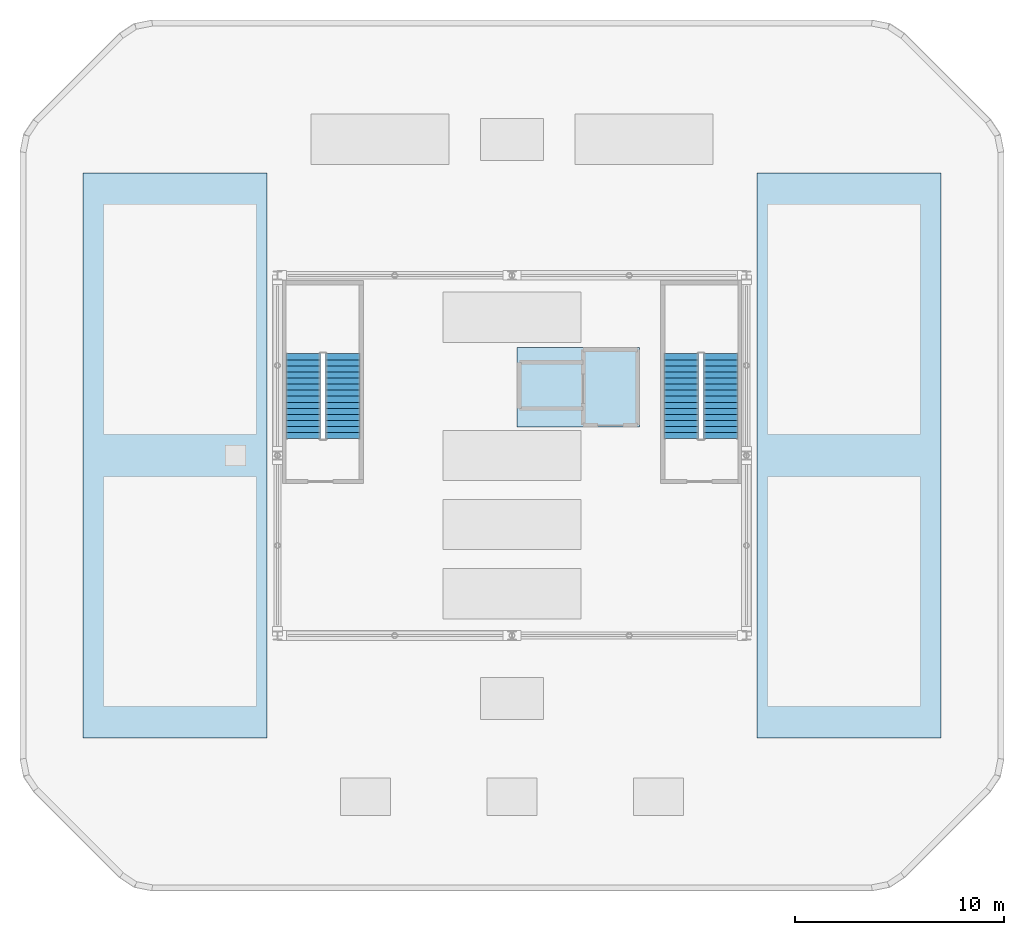
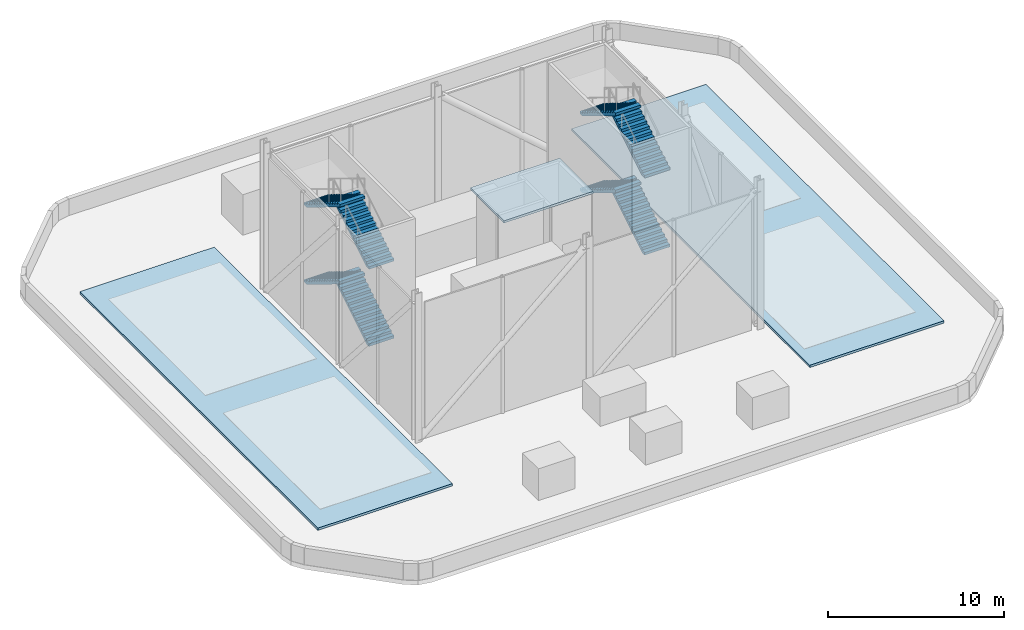
# One storey, part 3 of 6: 8 stair flights, 3 roofs, 2 elements without a shape of their own.
"""IFC4 building model written with IfcOpenShell, lengths in metres."""

from ifc_helpers import new_model, si_unit, derived_unit, direction, frame, origin, place, context, subcontext, project, spatial, polyline, outline, extrude, material, layer, layer_set, type_object, element, aggregate, save


model = new_model("IFC4")

# Units and contexts
model_context = context("Model", 3, precision=1e-05, world=origin(), true_north=direction((0.0, 1.0)))
body_context = subcontext(model_context, "Body", "Model", "MODEL_VIEW")
ifc_project = project(units=[si_unit("LENGTHUNIT", "METRE"), si_unit("AREAUNIT", "SQUARE_METRE"), si_unit("VOLUMEUNIT", "CUBIC_METRE"), si_unit("PLANEANGLEUNIT", "RADIAN"), si_unit("MASSUNIT", "GRAM", prefix="KILO"), derived_unit("THERMALTRANSMITTANCEUNIT", [(si_unit("POWERUNIT", "WATT"), 1), (si_unit("LENGTHUNIT", "METRE"), -2), (si_unit("THERMODYNAMICTEMPERATUREUNIT", "KELVIN"), -1)])], contexts=[model_context])

# Site, building, storey
site_placement = place(None, origin())
site = spatial("IfcSite", under=ifc_project, at=site_placement, CompositionType="ELEMENT")
building_placement = place(site_placement, origin())
building = spatial("IfcBuilding", under=site, at=building_placement, Name="Koralith Skygarden Medical Center", CompositionType="ELEMENT")
storey_placement = place(building_placement, frame((0.0, 0.0, 298.97998046875)))
storey = spatial("IfcBuildingStorey", under=building, at=storey_placement, Name="RF", CompositionType="ELEMENT", Elevation=298.97998046875)

# Stair, stair flights
ifc_material_1 = material(Name="Concrete C45/55", Category="concrete")
stair_type = type_object("IfcStairType", Name="Core Exit Dogleg Concrete Stair", PredefinedType="HALF_TURN_STAIR", material=ifc_material_1)
stair_1_placement = place(storey_placement, origin())
stair_1 = element("IfcStair", 1, at=stair_1_placement, inside=storey, type_object=stair_type, Name="RF Smokeproof Exit Stair ST1", PredefinedType="HALF_TURN_STAIR")
stair_flight_type = type_object("IfcStairFlightType", Name="Core Exit Concrete Stair Flight 1650", PredefinedType="STRAIGHT", material=ifc_material_1)
stair_flight_1_placement = place(storey_placement, frame((28.925048828125, 26.699951171875, 0.0), z_axis=(0.0, 0.0, 1.0), x_axis=(0.0, 1.0, 0.0)))
stair_flight_1 = element("IfcStairFlight", 2, at=stair_flight_1_placement, type_object=stair_flight_type, Name="ST1 flight 1", NumberOfRisers=15, NumberOfTreads=14, PredefinedType="STRAIGHT", RiserHeight=0.177833, TreadLength=0.29, context=body_context, shape_type="SweptSolid", body=[
    extrude(outline(polyline([(0.0, 0.0), (0.0, 0.177734375), (0.2900390625, 0.177734375), (0.2900390625, 0.355712890625), (0.580078125, 0.355712890625), (0.580078125, 0.533447265625), (0.8701171875, 0.533447265625), (0.8701171875, 0.71142578125), (1.159912109375, 0.71142578125), (1.159912109375, 0.88916015625), (1.449951171875, 0.88916015625), (1.449951171875, 1.06689453125), (1.739990234375, 1.06689453125), (1.739990234375, 1.244873046875), (2.030029296875, 1.244873046875), (2.030029296875, 1.422607421875), (2.320068359375, 1.422607421875), (2.320068359375, 1.6005859375), (2.610107421875, 1.6005859375), (2.610107421875, 1.7783203125), (2.89990234375, 1.7783203125), (2.89990234375, 1.9560546875), (3.18994140625, 1.9560546875), (3.18994140625, 2.134033203125), (3.47998046875, 2.134033203125), (3.47998046875, 2.311767578125), (3.77001953125, 2.311767578125), (3.77001953125, 2.48974609375), (4.06005859375, 2.48974609375), (4.06005859375, 2.66748046875), (4.06005859375, 2.313720703125), (0.286865234375, 0.0), (0.0, 0.0)])), frame((0.0, 0.824951171875, 0.0), z_axis=(0.0, -1.0, 0.0), x_axis=(1.0, 0.0, 0.0)), (0.0, 0.0, 1.0), 1.64990234375),
])
stair_flight_2_placement = place(storey_placement, frame((27.02490234375, 30.760009765625, 2.66748046875), z_axis=(0.0, 0.0, 1.0), x_axis=(0.0, -1.0, 0.0)))
stair_flight_2 = element("IfcStairFlight", 3, at=stair_flight_2_placement, type_object=stair_flight_type, Name="ST1 flight 2", NumberOfRisers=15, NumberOfTreads=14, PredefinedType="STRAIGHT", RiserHeight=0.177833, TreadLength=0.29, context=body_context, shape_type="SweptSolid", body=[
    extrude(outline(polyline([(0.0, 0.0), (0.0, 0.177734375), (0.2900390625, 0.177734375), (0.2900390625, 0.355712890625), (0.580078125, 0.355712890625), (0.580078125, 0.533447265625), (0.8701171875, 0.533447265625), (0.8701171875, 0.71142578125), (1.159912109375, 0.71142578125), (1.159912109375, 0.88916015625), (1.449951171875, 0.88916015625), (1.449951171875, 1.06689453125), (1.739990234375, 1.06689453125), (1.739990234375, 1.244873046875), (2.030029296875, 1.244873046875), (2.030029296875, 1.422607421875), (2.320068359375, 1.422607421875), (2.320068359375, 1.6005859375), (2.610107421875, 1.6005859375), (2.610107421875, 1.7783203125), (2.89990234375, 1.7783203125), (2.89990234375, 1.9560546875), (3.18994140625, 1.9560546875), (3.18994140625, 2.134033203125), (3.47998046875, 2.134033203125), (3.47998046875, 2.311767578125), (3.77001953125, 2.311767578125), (3.77001953125, 2.48974609375), (4.06005859375, 2.48974609375), (4.06005859375, 2.66748046875), (4.06005859375, 2.313720703125), (0.286865234375, 0.0), (0.0, 0.0)])), frame((0.0, 0.824951171875, 0.0), z_axis=(0.0, -1.0, 0.0), x_axis=(1.0, 0.0, 0.0)), (0.0, 0.0, 1.0), 1.64990234375),
])
stair_flight_3_placement = place(storey_placement, frame((28.925048828125, 26.699951171875, 5.3349609375), z_axis=(0.0, 0.0, 1.0), x_axis=(0.0, 1.0, 0.0)))
stair_flight_3 = element("IfcStairFlight", 4, at=stair_flight_3_placement, type_object=stair_flight_type, Name="ST1 flight 3", NumberOfRisers=15, NumberOfTreads=14, PredefinedType="STRAIGHT", RiserHeight=0.177833, TreadLength=0.29, context=body_context, shape_type="SweptSolid", body=[
    extrude(outline(polyline([(0.0, 0.0), (0.0, 0.177734375), (0.2900390625, 0.177734375), (0.2900390625, 0.355712890625), (0.580078125, 0.355712890625), (0.580078125, 0.533447265625), (0.8701171875, 0.533447265625), (0.8701171875, 0.71142578125), (1.159912109375, 0.71142578125), (1.159912109375, 0.88916015625), (1.449951171875, 0.88916015625), (1.449951171875, 1.06689453125), (1.739990234375, 1.06689453125), (1.739990234375, 1.244873046875), (2.030029296875, 1.244873046875), (2.030029296875, 1.422607421875), (2.320068359375, 1.422607421875), (2.320068359375, 1.6005859375), (2.610107421875, 1.6005859375), (2.610107421875, 1.7783203125), (2.89990234375, 1.7783203125), (2.89990234375, 1.9560546875), (3.18994140625, 1.9560546875), (3.18994140625, 2.134033203125), (3.47998046875, 2.134033203125), (3.47998046875, 2.311767578125), (3.77001953125, 2.311767578125), (3.77001953125, 2.48974609375), (4.06005859375, 2.48974609375), (4.06005859375, 2.66748046875), (4.06005859375, 2.313720703125), (0.286865234375, 0.0), (0.0, 0.0)])), frame((0.0, 0.824951171875, 0.0), z_axis=(0.0, -1.0, 0.0), x_axis=(1.0, 0.0, 0.0)), (0.0, 0.0, 1.0), 1.64990234375),
])
stair_flight_4_placement = place(storey_placement, frame((27.02490234375, 30.760009765625, 8.00244140625), z_axis=(0.0, 0.0, 1.0), x_axis=(0.0, -1.0, 0.0)))
stair_flight_4 = element("IfcStairFlight", 5, at=stair_flight_4_placement, type_object=stair_flight_type, Name="ST1 flight 4", NumberOfRisers=15, NumberOfTreads=14, PredefinedType="STRAIGHT", RiserHeight=0.177833, TreadLength=0.29, context=body_context, shape_type="SweptSolid", body=[
    extrude(outline(polyline([(0.0, 0.0), (0.0, 0.177734375), (0.2900390625, 0.177734375), (0.2900390625, 0.355712890625), (0.580078125, 0.355712890625), (0.580078125, 0.533447265625), (0.8701171875, 0.533447265625), (0.8701171875, 0.71142578125), (1.159912109375, 0.71142578125), (1.159912109375, 0.88916015625), (1.449951171875, 0.88916015625), (1.449951171875, 1.06689453125), (1.739990234375, 1.06689453125), (1.739990234375, 1.244873046875), (2.030029296875, 1.244873046875), (2.030029296875, 1.422607421875), (2.320068359375, 1.422607421875), (2.320068359375, 1.6005859375), (2.610107421875, 1.6005859375), (2.610107421875, 1.7783203125), (2.89990234375, 1.7783203125), (2.89990234375, 1.9560546875), (3.18994140625, 1.9560546875), (3.18994140625, 2.134033203125), (3.47998046875, 2.134033203125), (3.47998046875, 2.311767578125), (3.77001953125, 2.311767578125), (3.77001953125, 2.48974609375), (4.06005859375, 2.48974609375), (4.06005859375, 2.66748046875), (4.06005859375, 2.313720703125), (0.286865234375, 0.0), (0.0, 0.0)])), frame((0.0, 0.824951171875, 0.0), z_axis=(0.0, -1.0, 0.0), x_axis=(1.0, 0.0, 0.0)), (0.0, 0.0, 1.0), 1.64990234375),
])
aggregate(stair_1, [stair_flight_1, stair_flight_2, stair_flight_3, stair_flight_4])

stair_2_placement = place(storey_placement, origin())
stair_2 = element("IfcStair", 6, at=stair_2_placement, inside=storey, type_object=stair_type, Name="RF Smokeproof Exit Stair ST2", PredefinedType="HALF_TURN_STAIR")
stair_flight_5_placement = place(storey_placement, frame((46.97509765625, 26.699951171875, 0.0), z_axis=(0.0, 0.0, 1.0), x_axis=(0.0, 1.0, 0.0)))
stair_flight_5 = element("IfcStairFlight", 7, at=stair_flight_5_placement, type_object=stair_flight_type, Name="ST2 flight 1", NumberOfRisers=15, NumberOfTreads=14, PredefinedType="STRAIGHT", RiserHeight=0.177833, TreadLength=0.29, context=body_context, shape_type="SweptSolid", body=[
    extrude(outline(polyline([(0.0, 0.0), (0.0, 0.177734375), (0.2900390625, 0.177734375), (0.2900390625, 0.355712890625), (0.580078125, 0.355712890625), (0.580078125, 0.533447265625), (0.8701171875, 0.533447265625), (0.8701171875, 0.71142578125), (1.159912109375, 0.71142578125), (1.159912109375, 0.88916015625), (1.449951171875, 0.88916015625), (1.449951171875, 1.06689453125), (1.739990234375, 1.06689453125), (1.739990234375, 1.244873046875), (2.030029296875, 1.244873046875), (2.030029296875, 1.422607421875), (2.320068359375, 1.422607421875), (2.320068359375, 1.6005859375), (2.610107421875, 1.6005859375), (2.610107421875, 1.7783203125), (2.89990234375, 1.7783203125), (2.89990234375, 1.9560546875), (3.18994140625, 1.9560546875), (3.18994140625, 2.134033203125), (3.47998046875, 2.134033203125), (3.47998046875, 2.311767578125), (3.77001953125, 2.311767578125), (3.77001953125, 2.48974609375), (4.06005859375, 2.48974609375), (4.06005859375, 2.66748046875), (4.06005859375, 2.313720703125), (0.286865234375, 0.0), (0.0, 0.0)])), frame((0.0, 0.824951171875, 0.0), z_axis=(0.0, -1.0, 0.0), x_axis=(1.0, 0.0, 0.0)), (0.0, 0.0, 1.0), 1.64990234375),
])
stair_flight_6_placement = place(storey_placement, frame((45.074951171875, 30.760009765625, 2.66748046875), z_axis=(0.0, 0.0, 1.0), x_axis=(0.0, -1.0, 0.0)))
stair_flight_6 = element("IfcStairFlight", 8, at=stair_flight_6_placement, type_object=stair_flight_type, Name="ST2 flight 2", NumberOfRisers=15, NumberOfTreads=14, PredefinedType="STRAIGHT", RiserHeight=0.177833, TreadLength=0.29, context=body_context, shape_type="SweptSolid", body=[
    extrude(outline(polyline([(0.0, 0.0), (0.0, 0.177734375), (0.2900390625, 0.177734375), (0.2900390625, 0.355712890625), (0.580078125, 0.355712890625), (0.580078125, 0.533447265625), (0.8701171875, 0.533447265625), (0.8701171875, 0.71142578125), (1.159912109375, 0.71142578125), (1.159912109375, 0.88916015625), (1.449951171875, 0.88916015625), (1.449951171875, 1.06689453125), (1.739990234375, 1.06689453125), (1.739990234375, 1.244873046875), (2.030029296875, 1.244873046875), (2.030029296875, 1.422607421875), (2.320068359375, 1.422607421875), (2.320068359375, 1.6005859375), (2.610107421875, 1.6005859375), (2.610107421875, 1.7783203125), (2.89990234375, 1.7783203125), (2.89990234375, 1.9560546875), (3.18994140625, 1.9560546875), (3.18994140625, 2.134033203125), (3.47998046875, 2.134033203125), (3.47998046875, 2.311767578125), (3.77001953125, 2.311767578125), (3.77001953125, 2.48974609375), (4.06005859375, 2.48974609375), (4.06005859375, 2.66748046875), (4.06005859375, 2.313720703125), (0.286865234375, 0.0), (0.0, 0.0)])), frame((0.0, 0.824951171875, 0.0), z_axis=(0.0, -1.0, 0.0), x_axis=(1.0, 0.0, 0.0)), (0.0, 0.0, 1.0), 1.64990234375),
])
stair_flight_7_placement = place(storey_placement, frame((46.97509765625, 26.699951171875, 5.3349609375), z_axis=(0.0, 0.0, 1.0), x_axis=(0.0, 1.0, 0.0)))
stair_flight_7 = element("IfcStairFlight", 9, at=stair_flight_7_placement, type_object=stair_flight_type, Name="ST2 flight 3", NumberOfRisers=15, NumberOfTreads=14, PredefinedType="STRAIGHT", RiserHeight=0.177833, TreadLength=0.29, context=body_context, shape_type="SweptSolid", body=[
    extrude(outline(polyline([(0.0, 0.0), (0.0, 0.177734375), (0.2900390625, 0.177734375), (0.2900390625, 0.355712890625), (0.580078125, 0.355712890625), (0.580078125, 0.533447265625), (0.8701171875, 0.533447265625), (0.8701171875, 0.71142578125), (1.159912109375, 0.71142578125), (1.159912109375, 0.88916015625), (1.449951171875, 0.88916015625), (1.449951171875, 1.06689453125), (1.739990234375, 1.06689453125), (1.739990234375, 1.244873046875), (2.030029296875, 1.244873046875), (2.030029296875, 1.422607421875), (2.320068359375, 1.422607421875), (2.320068359375, 1.6005859375), (2.610107421875, 1.6005859375), (2.610107421875, 1.7783203125), (2.89990234375, 1.7783203125), (2.89990234375, 1.9560546875), (3.18994140625, 1.9560546875), (3.18994140625, 2.134033203125), (3.47998046875, 2.134033203125), (3.47998046875, 2.311767578125), (3.77001953125, 2.311767578125), (3.77001953125, 2.48974609375), (4.06005859375, 2.48974609375), (4.06005859375, 2.66748046875), (4.06005859375, 2.313720703125), (0.286865234375, 0.0), (0.0, 0.0)])), frame((0.0, 0.824951171875, 0.0), z_axis=(0.0, -1.0, 0.0), x_axis=(1.0, 0.0, 0.0)), (0.0, 0.0, 1.0), 1.64990234375),
])
stair_flight_8_placement = place(storey_placement, frame((45.074951171875, 30.760009765625, 8.00244140625), z_axis=(0.0, 0.0, 1.0), x_axis=(0.0, -1.0, 0.0)))
stair_flight_8 = element("IfcStairFlight", 10, at=stair_flight_8_placement, type_object=stair_flight_type, Name="ST2 flight 4", NumberOfRisers=15, NumberOfTreads=14, PredefinedType="STRAIGHT", RiserHeight=0.177833, TreadLength=0.29, context=body_context, shape_type="SweptSolid", body=[
    extrude(outline(polyline([(0.0, 0.0), (0.0, 0.177734375), (0.2900390625, 0.177734375), (0.2900390625, 0.355712890625), (0.580078125, 0.355712890625), (0.580078125, 0.533447265625), (0.8701171875, 0.533447265625), (0.8701171875, 0.71142578125), (1.159912109375, 0.71142578125), (1.159912109375, 0.88916015625), (1.449951171875, 0.88916015625), (1.449951171875, 1.06689453125), (1.739990234375, 1.06689453125), (1.739990234375, 1.244873046875), (2.030029296875, 1.244873046875), (2.030029296875, 1.422607421875), (2.320068359375, 1.422607421875), (2.320068359375, 1.6005859375), (2.610107421875, 1.6005859375), (2.610107421875, 1.7783203125), (2.89990234375, 1.7783203125), (2.89990234375, 1.9560546875), (3.18994140625, 1.9560546875), (3.18994140625, 2.134033203125), (3.47998046875, 2.134033203125), (3.47998046875, 2.311767578125), (3.77001953125, 2.311767578125), (3.77001953125, 2.48974609375), (4.06005859375, 2.48974609375), (4.06005859375, 2.66748046875), (4.06005859375, 2.313720703125), (0.286865234375, 0.0), (0.0, 0.0)])), frame((0.0, 0.824951171875, 0.0), z_axis=(0.0, -1.0, 0.0), x_axis=(1.0, 0.0, 0.0)), (0.0, 0.0, 1.0), 1.64990234375),
])
aggregate(stair_2, [stair_flight_5, stair_flight_6, stair_flight_7, stair_flight_8])

# Roofs
ifc_material_2 = material(Name="EPDM Membrane Roofing")
ifc_layer_1 = layer(ifc_material_2, 0.159912109375)
ifc_layer_set_1 = layer_set([ifc_layer_1], Name="EPDM Membrane Roofing")
roof_type_1 = type_object("IfcRoofType", Name="Lift Penthouse Insulated Roof Assembly", PredefinedType="FLAT_ROOF", material=ifc_layer_set_1)
roof_1_placement = place(storey_placement, frame((0.0, 0.0, 5.0)))
element("IfcRoof", 11, at=roof_1_placement, inside=storey, type_object=roof_type_1, Name="RF Trauma Lift Penthouse Roof Assembly", PredefinedType="FLAT_ROOF", context=body_context, shape_type="SweptSolid", body=[
    extrude(outline(polyline([(37.25, 27.25), (43.10009765625, 27.25), (43.10009765625, 31.050048828125), (37.25, 31.050048828125), (37.25, 27.25)])), origin(), (0.0, 0.0, 1.0), 0.159912109375),
])
ifc_layer_2 = layer(ifc_material_2, 0.159912109375)
ifc_layer_set_2 = layer_set([ifc_layer_2], Name="EPDM Membrane Roofing")
roof_type_2 = type_object("IfcRoofType", Name="Vegetated Crown Canopy Roof Assembly", PredefinedType="FLAT_ROOF", material=ifc_layer_set_2)
roof_2_placement = place(storey_placement, origin())
element("IfcRoof", 12, at=roof_2_placement, inside=storey, type_object=roof_type_2, Name="West Crown Vegetated Roof Assembly", PredefinedType="FLAT_ROOF", context=body_context, shape_type="SweptSolid", body=[
    extrude(outline(polyline([(16.5, 12.39990234375), (25.300048828125, 12.39990234375), (25.300048828125, 39.39990234375), (16.5, 39.39990234375), (16.5, 12.39990234375)])), origin(), (0.0, 0.0, 1.0), 0.159912109375),
])
roof_3_placement = place(storey_placement, origin())
element("IfcRoof", 13, at=roof_3_placement, inside=storey, type_object=roof_type_2, Name="East Crown Vegetated Roof Assembly", PredefinedType="FLAT_ROOF", context=body_context, shape_type="SweptSolid", body=[
    extrude(outline(polyline([(48.699951171875, 12.39990234375), (57.5, 12.39990234375), (57.5, 39.39990234375), (48.699951171875, 39.39990234375), (48.699951171875, 12.39990234375)])), origin(), (0.0, 0.0, 1.0), 0.159912109375),
])

save(model, "model.ifc")
